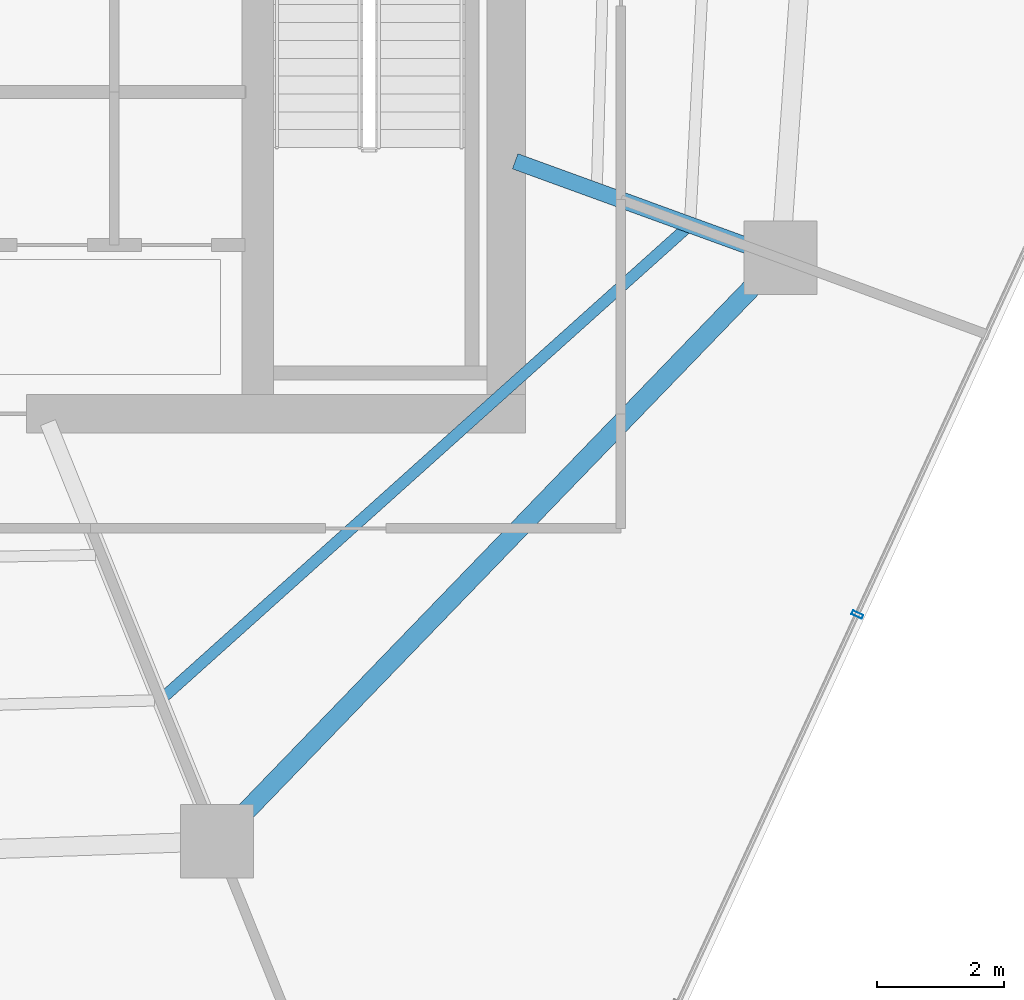
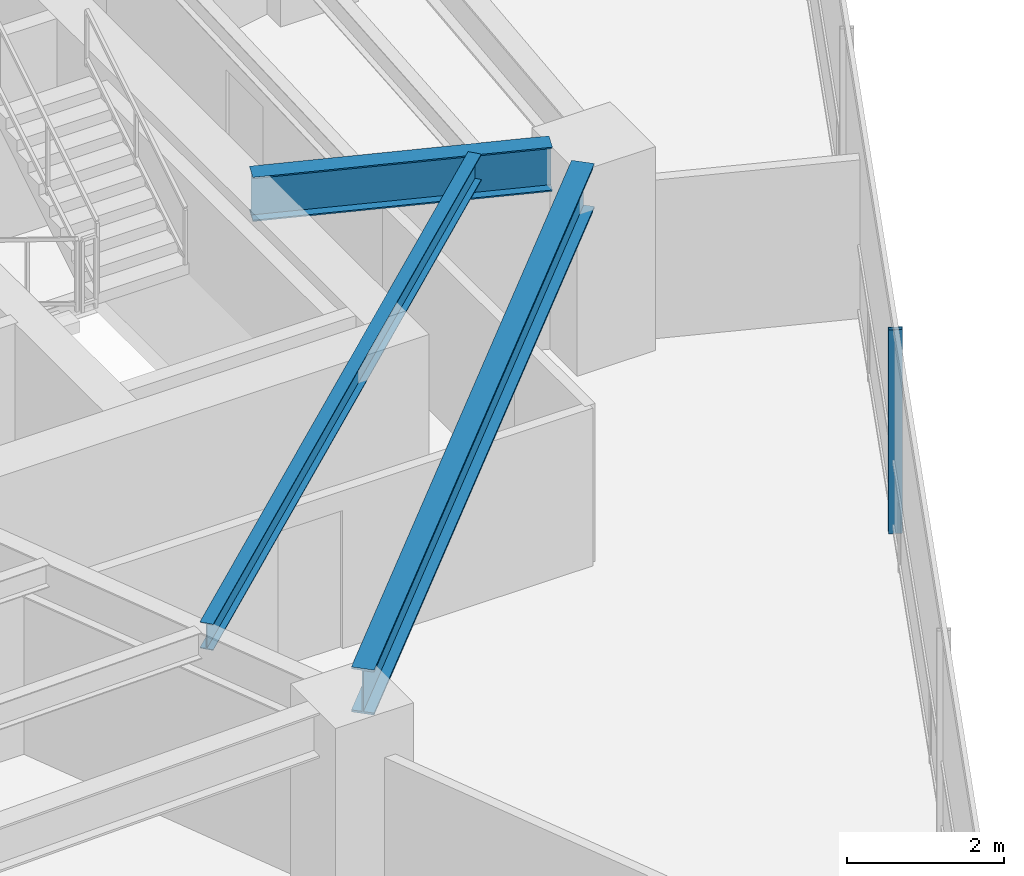
# One storey, part 10 of 30: 3 beams, 1 member, 1 element without a shape of its own.
"""IFC4 building model written with IfcOpenShell, lengths in metres."""

import ifcopenshell
import ifcopenshell.guid

model = None  # the IFC model being written
_history = None  # IfcOwnerHistory: only IFC2X3 demands one
_inside = {}  # id of a spatial element -> (the spatial element, [elements in it])
_under = {}  # id of a project, library or spatial element -> (it, [spatial elements below it])
_declared = {}  # id of a project -> (the project, [libraries it declares])
_typed = {}  # id of a type object -> (the type object, [elements of that type])
_made_of = {}  # id of a material, layer set ... -> (it, [elements and type objects made of it])


def new_model(schema):
    """Start an empty IFC model of exactly this schema.

    Asked for "IFC4X3", IfcOpenShell would pick the latest addendum, in which some entities
    have other attributes; the version numbers below select the first issue.
    IFC2X3 requires an IfcOwnerHistory on every rooted entity: one is made here for all.
    """
    global model, _history
    if schema == "IFC4X3":
        model = ifcopenshell.file(schema_version=(4, 3, 0, 0))
    else:
        model = ifcopenshell.file(schema=schema)
    _inside.clear()
    _under.clear()
    _declared.clear()
    _typed.clear()
    _made_of.clear()
    _history = None
    if model.schema == "IFC2X3":
        org = make("IfcOrganization", Name="unknown")
        user = make(
            "IfcPersonAndOrganization",
            ThePerson=make("IfcPerson", FamilyName="unknown"),
            TheOrganization=org,
        )
        app = make(
            "IfcApplication",
            ApplicationDeveloper=org,
            Version="unknown",
            ApplicationFullName="unknown",
            ApplicationIdentifier="unknown",
        )
        _history = make(
            "IfcOwnerHistory",
            OwningUser=user,
            OwningApplication=app,
            ChangeAction="ADDED",
            CreationDate=0,
        )
    return model


def make(cls, **values):
    """One entity of the class cls with the attributes given. An attribute that is None is left unset."""
    return model.create_entity(
        cls, **{name: value for name, value in values.items() if value is not None}
    )


def rooted(cls, **values):
    """An entity with a GlobalId (a new one), such as an element, a storey or a relation."""
    return make(cls, GlobalId=ifcopenshell.guid.new(), OwnerHistory=_history, **values)


def si_unit(unit_type, name, prefix=None):
    """IfcSIUnit, for example si_unit("LENGTHUNIT", "METRE", prefix="MILLI")."""
    return make("IfcSIUnit", UnitType=unit_type, Prefix=prefix, Name=name)


def assignment(units):
    """IfcUnitAssignment: the units of a project."""
    return None if units is None else make("IfcUnitAssignment", Units=units)


def point(xyz):
    """IfcCartesianPoint."""
    return None if xyz is None else make("IfcCartesianPoint", Coordinates=xyz)


def direction(xyz):
    """IfcDirection."""
    return None if xyz is None else make("IfcDirection", DirectionRatios=xyz)


def frame(location, z_axis=None, x_axis=None):
    """IfcAxis2Placement3D, a coordinate frame: its origin and axes. An axis left out is left unset."""
    return make(
        "IfcAxis2Placement3D",
        Location=point(location),
        Axis=direction(z_axis),
        RefDirection=direction(x_axis),
    )


def frame_2d(location, x_axis=None):
    """IfcAxis2Placement2D, a coordinate frame in the plane: its origin and x axis."""
    return make(
        "IfcAxis2Placement2D", Location=point(location), RefDirection=direction(x_axis)
    )


def origin():
    """The frame at (0, 0, 0) with its axes left unset."""
    return frame((0.0, 0.0, 0.0))


def origin_2d():
    """The frame at (0, 0) in the plane with its x axis left unset."""
    return frame_2d((0.0, 0.0))


def place(relative_to, where):
    """IfcLocalPlacement: puts the frame where relative to a parent placement (None: the world)."""
    return make(
        "IfcLocalPlacement", PlacementRelTo=relative_to, RelativePlacement=where
    )


def context(
    kind, dimensions, precision=None, world=None, true_north=None, identifier=None
):
    """IfcGeometricRepresentationContext, for example the 3D "Model" context."""
    return make(
        "IfcGeometricRepresentationContext",
        ContextIdentifier=identifier,
        ContextType=kind,
        CoordinateSpaceDimension=dimensions,
        Precision=precision,
        WorldCoordinateSystem=world,
        TrueNorth=true_north,
    )


def subcontext(parent, identifier, kind, view, scale=None):
    """IfcGeometricRepresentationSubContext, for example "Body" below "Model"."""
    return make(
        "IfcGeometricRepresentationSubContext",
        ContextIdentifier=identifier,
        ContextType=kind,
        ParentContext=parent,
        TargetScale=scale,
        TargetView=view,
    )


def project(units=None, contexts=None):
    """IfcProject with its units and contexts."""
    return rooted(
        "IfcProject",
        Name="project",
        RepresentationContexts=contexts,
        UnitsInContext=assignment(units),
    )


def spatial(cls, under=None, at=None, **own):
    """A site, building, storey or space (cls), placed at a placement, below another one or the project."""
    s = rooted(cls, ObjectPlacement=at, **own)
    if under is not None:
        _under.setdefault(under.id(), (under, []))[1].append(s)
    return s


def profile(cls, at=None, kind="AREA", **sizes):
    """A parametric profile (cls). Its sizes go by their IFC names, for example OverallWidth=200.0."""
    return make(cls, ProfileType=kind, Position=at, **sizes)


def hollow_rectangle(**sizes):
    """IfcRectangleHollowProfileDef."""
    return profile("IfcRectangleHollowProfileDef", **sizes)


def i_section(**sizes):
    """IfcIShapeProfileDef."""
    return profile("IfcIShapeProfileDef", **sizes)


def extrude(swept, where, along, depth):
    """IfcExtrudedAreaSolid: the profile swept, set in the frame where, extruded along a direction by depth."""
    return make(
        "IfcExtrudedAreaSolid",
        SweptArea=swept,
        Position=where,
        ExtrudedDirection=direction(along),
        Depth=depth,
    )


def shape(context_of_items, identifier, shape_type, items):
    """IfcShapeRepresentation: the items that make up one representation, for example the "Body"."""
    return make(
        "IfcShapeRepresentation",
        ContextOfItems=context_of_items,
        RepresentationIdentifier=identifier,
        RepresentationType=shape_type,
        Items=items,
    )


def material(Name=None, Category=None):
    """IfcMaterial."""
    return make("IfcMaterial", Name=Name, Category=Category)


def layer(
    of_material, thickness, ventilated=None, Name=None, Category=None, Priority=None
):
    """IfcMaterialLayer: one layer of a wall or slab, of a material (None: an air gap)."""
    return make(
        "IfcMaterialLayer",
        Material=of_material,
        LayerThickness=thickness,
        IsVentilated=ventilated,
        Name=Name,
        Category=Category,
        Priority=Priority,
    )


def layer_set(layers, Name=None):
    """IfcMaterialLayerSet."""
    return make("IfcMaterialLayerSet", MaterialLayers=layers, LayerSetName=Name)


def material_profile(
    of_material, cross_section, Name=None, Category=None, Priority=None
):
    """IfcMaterialProfile: a cross section and its material."""
    return make(
        "IfcMaterialProfile",
        Name=Name,
        Material=of_material,
        Profile=cross_section,
        Priority=Priority,
        Category=Category,
    )


def profile_set(profiles, Name=None, composite=None):
    """IfcMaterialProfileSet."""
    return make(
        "IfcMaterialProfileSet",
        Name=Name,
        MaterialProfiles=profiles,
        CompositeProfile=composite,
    )


def made_of(thing, what):
    """Note that an element or type object is made of a material, layer set ...; save() writes the relation."""
    if what is not None:
        _made_of.setdefault(what.id(), (what, []))[1].append(thing)
    return thing


def type_object(cls, material=None, **own):
    """A type object (cls), such as IfcWallType, which elements share."""
    return made_of(rooted(cls, **own), material)


def element(
    cls,
    number,
    at=None,
    inside=None,
    cuts=None,
    type_object=None,
    material=None,
    context=None,
    identifier="Body",
    shape_type=None,
    held_by="IfcProductDefinitionShape",
    body=None,
    shapes=None,
    **own,
):
    """One element of the class cls, such as IfcWall. Its Tag is "e" and its number.

    at: its placement. inside: the storey or other place that contains it. cuts: it is an
    opening in that element (IfcRelVoidsElement). A single representation is given by context,
    identifier, shape_type and body (its items); several are given by shapes. held_by: the class
    of the entity that holds the representations. save() writes the other relations.
    """
    e = rooted(cls, Tag="e%d" % number, ObjectPlacement=at, **own)
    if body is not None:
        shapes = [shape(context, identifier, shape_type, body)]
    if shapes is not None:
        e.Representation = make(held_by, Representations=shapes)
    if inside is not None:
        _inside.setdefault(inside.id(), (inside, []))[1].append(e)
    if cuts is not None:
        rooted(
            "IfcRelVoidsElement", RelatingBuildingElement=cuts, RelatedOpeningElement=e
        )
    if type_object is not None:
        _typed.setdefault(type_object.id(), (type_object, []))[1].append(e)
    return made_of(e, material)


def aggregate(whole, parts):
    """IfcRelAggregates: a whole, such as a stair, and the parts it consists of."""
    return rooted("IfcRelAggregates", RelatingObject=whole, RelatedObjects=parts)


def save(model, path):
    """Write the relations noted so far, then the file.

    IfcRelAggregates (storeys below a building ...), IfcRelContainedInSpatialStructure (elements
    in a storey), IfcRelDefinesByType, IfcRelAssociatesMaterial and IfcRelDeclares: one each for
    every whole, place, type object, material and project.
    """
    for whole, parts in _under.values():
        aggregate(whole, parts)
    for where, things in _inside.values():
        rooted(
            "IfcRelContainedInSpatialStructure",
            RelatedElements=things,
            RelatingStructure=where,
        )
    for kind, things in _typed.values():
        rooted("IfcRelDefinesByType", RelatedObjects=things, RelatingType=kind)
    for what, things in _made_of.values():
        rooted("IfcRelAssociatesMaterial", RelatedObjects=things, RelatingMaterial=what)
    for by, libraries in _declared.values():
        rooted("IfcRelDeclares", RelatingContext=by, RelatedDefinitions=libraries)
    model.write(path)


model = new_model("IFC4")

# Units and contexts
model_context = context("Model", 3, precision=1e-05, world=origin(), true_north=direction((0.0, 1.0)))
body_context = subcontext(model_context, "Body", "Model", "MODEL_VIEW")
ifc_project = project(units=[si_unit("LENGTHUNIT", "METRE"), si_unit("AREAUNIT", "SQUARE_METRE"), si_unit("VOLUMEUNIT", "CUBIC_METRE"), si_unit("PLANEANGLEUNIT", "RADIAN"), si_unit("MASSUNIT", "GRAM", prefix="KILO")], contexts=[model_context])

# Site, building, storey
site_placement = place(None, origin())
site = spatial("IfcSite", under=ifc_project, at=site_placement, CompositionType="ELEMENT")
building_placement = place(site_placement, origin())
building = spatial("IfcBuilding", under=site, at=building_placement, Name="Qarnah Convention Tower", CompositionType="ELEMENT")
storey_placement = place(building_placement, frame((0.0, 0.0, 86.699951171875)))
storey = spatial("IfcBuildingStorey", under=building, at=storey_placement, Name="L22", CompositionType="ELEMENT", Elevation=86.699951171875)

# Beams
ifc_material_1 = material(Name="Structural steel S355JR", Category="steel")
ifc_material_profile_1 = material_profile(ifc_material_1, i_section(OverallWidth=0.177978515625, OverallDepth=0.407958984375, WebThickness=0.008056640625, FlangeThickness=0.012939453125, at=origin_2d()), Name="W410X60")
ifc_profile_set_1 = profile_set([ifc_material_profile_1], Name="Structural steel S355JR")
beam_type_1 = type_object("IfcBeamType", Name="BM-JST-W410", PredefinedType="JOIST", material=ifc_profile_set_1)
beam_1_placement = place(storey_placement, frame((42.235107421875, 14.1640625, 2.966064453125), z_axis=(0.744411827148, 0.667720773679, 0.0), x_axis=(-0.667720773679, 0.744411827148, 0.0)))
element("IfcBeam", 1, at=beam_1_placement, inside=storey, type_object=beam_type_1, Name="L22 joist BM-L22-SJST-08", PredefinedType="JOIST", context=body_context, shape_type="SweptSolid", body=[
    extrude(i_section(OverallWidth=0.177978515625, OverallDepth=0.407958984375, WebThickness=0.008056640625, FlangeThickness=0.012939453125, at=origin_2d()), origin(), (0.0, 0.0, 1.0), 10.992431640625),
])
ifc_material_profile_2 = material_profile(ifc_material_1, i_section(OverallWidth=0.25390625, OverallDepth=0.68798828125, WebThickness=0.012939453125, FlangeThickness=0.02099609375, at=origin_2d()), Name="W690X152")
ifc_profile_set_2 = profile_set([ifc_material_profile_2], Name="Structural steel S355JR")
beam_type_2 = type_object("IfcBeamType", Name="BM-RAD-W690", PredefinedType="BEAM", material=ifc_profile_set_2)
beam_2_placement = place(storey_placement, frame((47.740966796875, 22.56298828125, 2.825927734375), z_axis=(0.93969593668, -0.342011032845, 0.0), x_axis=(0.342011032845, 0.93969593668, 0.0)))
element("IfcBeam", 2, at=beam_2_placement, inside=storey, type_object=beam_type_2, Name="L22 beam BM-L22-RAD-09", PredefinedType="BEAM", context=body_context, shape_type="SweptSolid", body=[
    extrude(i_section(OverallWidth=0.25390625, OverallDepth=0.68798828125, WebThickness=0.012939453125, FlangeThickness=0.02099609375, at=origin_2d()), origin(), (0.0, 0.0, 1.0), 3.876953125),
])
ifc_material_profile_3 = material_profile(ifc_material_1, i_section(OverallWidth=0.300048828125, OverallDepth=0.699951171875, WebThickness=0.01708984375, FlangeThickness=0.031982421875, at=origin_2d()), Name="HEB700")
ifc_profile_set_3 = profile_set([ifc_material_profile_3], Name="Structural steel S355JR")
beam_type_3 = type_object("IfcBeamType", Name="BM-RING-HEB700", PredefinedType="BEAM", material=ifc_profile_set_3)
beam_3_placement = place(storey_placement, frame((43.455078125, 12.2958984375, 2.820068359375), z_axis=(0.694656478954, 0.719341626939, 0.0), x_axis=(-0.719341626939, 0.694656478954, 0.0)))
element("IfcBeam", 3, at=beam_3_placement, inside=storey, type_object=beam_type_3, Name="L22 beam BM-L22-SPN-08", PredefinedType="BEAM", context=body_context, shape_type="SweptSolid", body=[
    extrude(i_section(OverallWidth=0.300048828125, OverallDepth=0.699951171875, WebThickness=0.01708984375, FlangeThickness=0.031982421875, at=origin_2d()), origin(), (0.0, 0.0, 1.0), 11.60107421875),
])

# Curtain wall, member
ifc_material_2 = material(Name="Tempered Low-E dark glass", Category="glass")
ifc_layer = layer(ifc_material_2, 0.169921875)
ifc_layer_set = layer_set([ifc_layer], Name="Tempered Low-E dark glass")
curtain_wall_type = type_object("IfcCurtainWallType", Name="CWS-02", PredefinedType="NOTDEFINED", material=ifc_layer_set)
curtain_wall_placement = place(storey_placement, origin())
curtain_wall = element("IfcCurtainWall", 4, at=curtain_wall_placement, inside=storey, type_object=curtain_wall_type, Name="L22 unitised curtain wall CW-L22-F3", PredefinedType="NOTDEFINED")
ifc_material_3 = material(Name="Black anodised aluminium", Category="aluminium")
ifc_material_profile_4 = material_profile(ifc_material_3, hollow_rectangle(XDim=0.06494140625, YDim=0.179931640625, WallThickness=0.00390625, at=origin_2d()), Name="MUL-65X180")
ifc_profile_set_4 = profile_set([ifc_material_profile_4], Name="Black anodised aluminium")
member_type = type_object("IfcMemberType", Name="MUL-T2", PredefinedType="MULLION", material=ifc_profile_set_4)
member_placement = place(storey_placement, frame((53.11181640625, 15.447265625, 0.0), z_axis=(0.0, 0.0, 1.0), x_axis=(-0.418223177755, -0.908344303438, 0.0)))
member = element("IfcMember", 5, at=member_placement, type_object=member_type, Name="CW-L22-F3 mullion 4", PredefinedType="MULLION", context=body_context, shape_type="SweptSolid", body=[
    extrude(hollow_rectangle(XDim=0.06494140625, YDim=0.179931640625, WallThickness=0.00390625, at=origin_2d()), origin(), (0.0, 0.0, 1.0), 3.170166015625),
])
aggregate(curtain_wall, [member])

save(model, "model.ifc")
